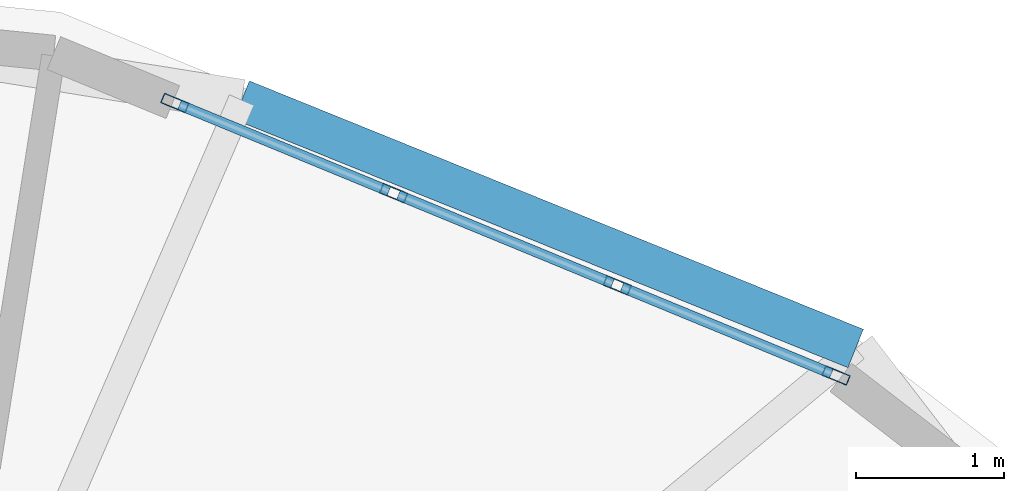
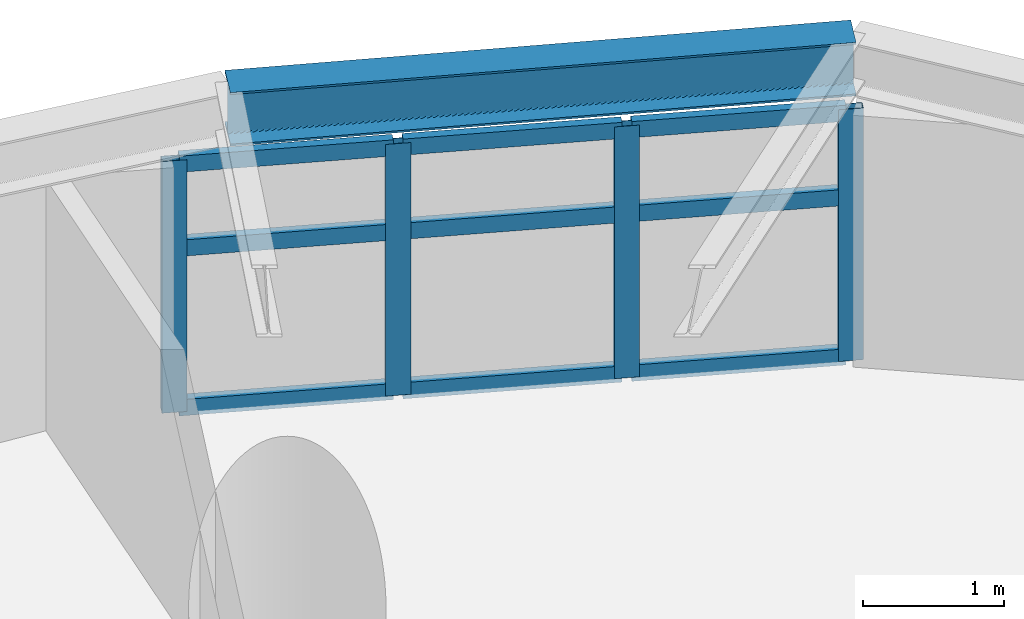
# One storey, part 7 of 18: 13 members, 1 beam, 1 element without a shape of its own.
"""IFC4 building model written with IfcOpenShell, lengths in metres."""

from ifc_helpers import new_model, si_unit, direction, frame, origin, origin_2d, place, context, subcontext, project, spatial, hollow_rectangle, i_section, extrude, material, layer, layer_set, material_profile, profile_set, type_object, element, aggregate, save


model = new_model("IFC4")

# Units and contexts
model_context = context("Model", 3, precision=1e-05, world=origin(), true_north=direction((0.0, 1.0)))
body_context = subcontext(model_context, "Body", "Model", "MODEL_VIEW")
ifc_project = project(units=[si_unit("LENGTHUNIT", "METRE"), si_unit("AREAUNIT", "SQUARE_METRE"), si_unit("VOLUMEUNIT", "CUBIC_METRE"), si_unit("PLANEANGLEUNIT", "RADIAN"), si_unit("MASSUNIT", "GRAM", prefix="KILO")], contexts=[model_context])

# Site, building, storey
site_placement = place(None, origin())
site = spatial("IfcSite", under=ifc_project, at=site_placement, CompositionType="ELEMENT")
building_placement = place(site_placement, origin())
building = spatial("IfcBuilding", under=site, at=building_placement, Name="Cununo Teusaquillo Station Towers", CompositionType="ELEMENT")
storey_placement = place(building_placement, frame((0.0, 0.0, 93.429931640625)))
storey = spatial("IfcBuildingStorey", under=building, at=storey_placement, Name="L29", CompositionType="ELEMENT", Elevation=93.429931640625)

# Beam
ifc_material_1 = material(Name="Steel ASTM A572 Grade 50", Category="steel")
ifc_material_profile_1 = material_profile(ifc_material_1, i_section(OverallWidth=0.280029296875, OverallDepth=0.462890625, WebThickness=0.0107421875, FlangeThickness=0.017333984375, FilletRadius=0.013916015625, at=origin_2d()), Name="W18X76")
ifc_profile_set_1 = profile_set([ifc_material_profile_1], Name="Steel ASTM A572 Grade 50")
beam_type = type_object("IfcBeamType", Name="BM-RING-Z2", PredefinedType="SPANDREL", material=ifc_profile_set_1)
beam_placement = place(storey_placement, frame((63.9111328125, 39.341064453125, 2.4384765625), z_axis=(-0.927007712072, 0.375042266631, 0.0), x_axis=(-0.375042266631, -0.927007712072, 0.0)))
element("IfcBeam", 1, at=beam_placement, inside=storey, type_object=beam_type, Name="L29 Tower B Spandrel Ring Beam 02", PredefinedType="SPANDREL", context=body_context, shape_type="SweptSolid", body=[
    extrude(i_section(OverallWidth=0.280029296875, OverallDepth=0.462890625, WebThickness=0.0107421875, FlangeThickness=0.017333984375, FilletRadius=0.013916015625, at=origin_2d()), origin(), (0.0, 0.0, 1.0), 4.480712890625),
])

# Curtain wall, members
ifc_material_2 = material(Name="Ceramic-fritted dark low-E double glazing", Category="glass")
ifc_layer = layer(ifc_material_2, 0.179931640625)
ifc_layer_set = layer_set([ifc_layer], Name="Ceramic-fritted dark low-E double glazing")
curtain_wall_type = type_object("IfcCurtainWallType", Name="CW-SYS-04", PredefinedType="USERDEFINED", material=ifc_layer_set)
curtain_wall_placement = place(storey_placement, origin())
curtain_wall = element("IfcCurtainWall", 2, at=curtain_wall_placement, inside=storey, type_object=curtain_wall_type, Name="L29 Tower B Facade Curtain Wall C01", ObjectType="FRITTED GLAZING", PredefinedType="USERDEFINED")
ifc_material_3 = material(Name="Anodised dark bronze aluminium EN AW-6063-T6", Category="aluminium")
ifc_material_profile_2 = material_profile(ifc_material_3, hollow_rectangle(XDim=0.070068359375, YDim=0.179931640625, WallThickness=0.00390625, at=origin_2d()), Name="CW-MULL-70x180")
ifc_profile_set_2 = profile_set([ifc_material_profile_2], Name="Anodised dark bronze aluminium EN AW-6063-T6")
member_type_1 = type_object("IfcMemberType", Name="CWM-180", PredefinedType="MULLION", material=ifc_profile_set_2)
member_1_placement = place(storey_placement, frame((59.3056640625, 41.001953125, 0.0), z_axis=(0.0, 0.0, 1.0), x_axis=(0.381030560176, 0.924562443652, 0.0)))
member_1 = element("IfcMember", 3, at=member_1_placement, type_object=member_type_1, Name="CW-04 mullion 1", PredefinedType="MULLION", context=body_context, shape_type="SweptSolid", body=[
    extrude(hollow_rectangle(XDim=0.070068359375, YDim=0.179931640625, WallThickness=0.00390625, at=origin_2d()), origin(), (0.0, 0.0, 1.0), 2.178955078125),
])
member_2_placement = place(storey_placement, frame((60.785888671875, 40.39208984375, 0.0), z_axis=(0.0, 0.0, 1.0), x_axis=(0.381030560176, 0.924562443652, 0.0)))
member_2 = element("IfcMember", 4, at=member_2_placement, type_object=member_type_1, Name="CW-04 mullion 2", PredefinedType="MULLION", context=body_context, shape_type="SweptSolid", body=[
    extrude(hollow_rectangle(XDim=0.070068359375, YDim=0.179931640625, WallThickness=0.00390625, at=origin_2d()), origin(), (0.0, 0.0, 1.0), 2.178955078125),
])
member_3_placement = place(storey_placement, frame((62.298583984375, 39.7685546875, 0.0), z_axis=(0.0, 0.0, 1.0), x_axis=(0.381030560176, 0.924562443652, 0.0)))
member_3 = element("IfcMember", 5, at=member_3_placement, type_object=member_type_1, Name="CW-04 mullion 3", PredefinedType="MULLION", context=body_context, shape_type="SweptSolid", body=[
    extrude(hollow_rectangle(XDim=0.070068359375, YDim=0.179931640625, WallThickness=0.00390625, at=origin_2d()), origin(), (0.0, 0.0, 1.0), 2.178955078125),
])
member_4_placement = place(storey_placement, frame((63.77880859375, 39.158447265625, 0.0), z_axis=(0.0, 0.0, 1.0), x_axis=(0.381030560176, 0.924562443652, 0.0)))
member_4 = element("IfcMember", 6, at=member_4_placement, type_object=member_type_1, Name="CW-04 mullion 4", PredefinedType="MULLION", context=body_context, shape_type="SweptSolid", body=[
    extrude(hollow_rectangle(XDim=0.070068359375, YDim=0.179931640625, WallThickness=0.00390625, at=origin_2d()), origin(), (0.0, 0.0, 1.0), 2.178955078125),
])
ifc_material_4 = material(Name="Anodised dark bronze aluminium EN AW-6063-T6", Category="aluminium")
ifc_material_profile_3 = material_profile(ifc_material_4, hollow_rectangle(XDim=0.070068359375, YDim=0.139892578125, WallThickness=0.00390625, at=origin_2d()), Name="CW-TRAN-70x140")
ifc_profile_set_3 = profile_set([ifc_material_profile_3], Name="Anodised dark bronze aluminium EN AW-6063-T6")
member_type_2 = type_object("IfcMemberType", Name="CWT-140", PredefinedType="USERDEFINED", material=ifc_profile_set_3)
member_5_placement = place(storey_placement, frame((59.337890625, 40.98876953125, 0.03515625), z_axis=(0.924532726965, -0.381102659097, 0.0), x_axis=(0.381102659097, 0.924532726965, 0.0)))
member_5 = element("IfcMember", 7, at=member_5_placement, type_object=member_type_2, Name="CW-04 transom 1.1", ObjectType="TRANSOM", PredefinedType="USERDEFINED", context=body_context, shape_type="SweptSolid", body=[
    extrude(hollow_rectangle(XDim=0.070068359375, YDim=0.139892578125, WallThickness=0.00390625, at=origin_2d()), origin(), (0.0, 0.0, 1.0), 1.531005859375),
])
member_6_placement = place(storey_placement, frame((59.337890625, 40.98876953125, 1.416015625), z_axis=(0.924532726965, -0.381102659097, 0.0), x_axis=(0.381102659097, 0.924532726965, 0.0)))
member_6 = element("IfcMember", 8, at=member_6_placement, type_object=member_type_2, Name="CW-04 transom 1.2", ObjectType="TRANSOM", PredefinedType="USERDEFINED", context=body_context, shape_type="SweptSolid", body=[
    extrude(hollow_rectangle(XDim=0.070068359375, YDim=0.139892578125, WallThickness=0.00390625, at=origin_2d()), origin(), (0.0, 0.0, 1.0), 1.531005859375),
])
member_7_placement = place(storey_placement, frame((59.337890625, 40.98876953125, 2.14404296875), z_axis=(0.924532726965, -0.381102659097, 0.0), x_axis=(0.381102659097, 0.924532726965, 0.0)))
member_7 = element("IfcMember", 9, at=member_7_placement, type_object=member_type_2, Name="CW-04 transom 1.3", ObjectType="TRANSOM", PredefinedType="USERDEFINED", context=body_context, shape_type="SweptSolid", body=[
    extrude(hollow_rectangle(XDim=0.070068359375, YDim=0.139892578125, WallThickness=0.00390625, at=origin_2d()), origin(), (0.0, 0.0, 1.0), 1.531005859375),
])
member_8_placement = place(storey_placement, frame((60.818115234375, 40.378662109375, 0.03515625), z_axis=(0.924577983912, -0.380992849887, 0.0), x_axis=(0.380992849887, 0.924577983912, 0.0)))
member_8 = element("IfcMember", 10, at=member_8_placement, type_object=member_type_2, Name="CW-04 transom 2.1", ObjectType="TRANSOM", PredefinedType="USERDEFINED", context=body_context, shape_type="SweptSolid", body=[
    extrude(hollow_rectangle(XDim=0.070068359375, YDim=0.139892578125, WallThickness=0.00390625, at=origin_2d()), origin(), (0.0, 0.0, 1.0), 1.566162109375),
])
member_9_placement = place(storey_placement, frame((60.818115234375, 40.378662109375, 1.416015625), z_axis=(0.924577983912, -0.380992849887, 0.0), x_axis=(0.380992849887, 0.924577983912, 0.0)))
member_9 = element("IfcMember", 11, at=member_9_placement, type_object=member_type_2, Name="CW-04 transom 2.2", ObjectType="TRANSOM", PredefinedType="USERDEFINED", context=body_context, shape_type="SweptSolid", body=[
    extrude(hollow_rectangle(XDim=0.070068359375, YDim=0.139892578125, WallThickness=0.00390625, at=origin_2d()), origin(), (0.0, 0.0, 1.0), 1.566162109375),
])
member_10_placement = place(storey_placement, frame((60.818115234375, 40.378662109375, 2.14404296875), z_axis=(0.924577983912, -0.380992849887, 0.0), x_axis=(0.380992849887, 0.924577983912, 0.0)))
member_10 = element("IfcMember", 12, at=member_10_placement, type_object=member_type_2, Name="CW-04 transom 2.3", ObjectType="TRANSOM", PredefinedType="USERDEFINED", context=body_context, shape_type="SweptSolid", body=[
    extrude(hollow_rectangle(XDim=0.070068359375, YDim=0.139892578125, WallThickness=0.00390625, at=origin_2d()), origin(), (0.0, 0.0, 1.0), 1.566162109375),
])
member_11_placement = place(storey_placement, frame((62.330810546875, 39.75537109375, 0.03515625), z_axis=(0.924555881283, -0.381046483233, 0.0), x_axis=(0.381046483233, 0.924555881283, 0.0)))
member_11 = element("IfcMember", 13, at=member_11_placement, type_object=member_type_2, Name="CW-04 transom 3.1", ObjectType="TRANSOM", PredefinedType="USERDEFINED", context=body_context, shape_type="SweptSolid", body=[
    extrude(hollow_rectangle(XDim=0.070068359375, YDim=0.139892578125, WallThickness=0.00390625, at=origin_2d()), origin(), (0.0, 0.0, 1.0), 1.53125),
])
member_12_placement = place(storey_placement, frame((62.330810546875, 39.75537109375, 1.416015625), z_axis=(0.924555881283, -0.381046483233, 0.0), x_axis=(0.381046483233, 0.924555881283, 0.0)))
member_12 = element("IfcMember", 14, at=member_12_placement, type_object=member_type_2, Name="CW-04 transom 3.2", ObjectType="TRANSOM", PredefinedType="USERDEFINED", context=body_context, shape_type="SweptSolid", body=[
    extrude(hollow_rectangle(XDim=0.070068359375, YDim=0.139892578125, WallThickness=0.00390625, at=origin_2d()), origin(), (0.0, 0.0, 1.0), 1.53125),
])
member_13_placement = place(storey_placement, frame((62.330810546875, 39.75537109375, 2.14404296875), z_axis=(0.924555881283, -0.381046483233, 0.0), x_axis=(0.381046483233, 0.924555881283, 0.0)))
member_13 = element("IfcMember", 15, at=member_13_placement, type_object=member_type_2, Name="CW-04 transom 3.3", ObjectType="TRANSOM", PredefinedType="USERDEFINED", context=body_context, shape_type="SweptSolid", body=[
    extrude(hollow_rectangle(XDim=0.070068359375, YDim=0.139892578125, WallThickness=0.00390625, at=origin_2d()), origin(), (0.0, 0.0, 1.0), 1.53125),
])
aggregate(curtain_wall, [member_1, member_2, member_3, member_4, member_5, member_6, member_7, member_8, member_9, member_10, member_11, member_12, member_13])

save(model, "model.ifc")
